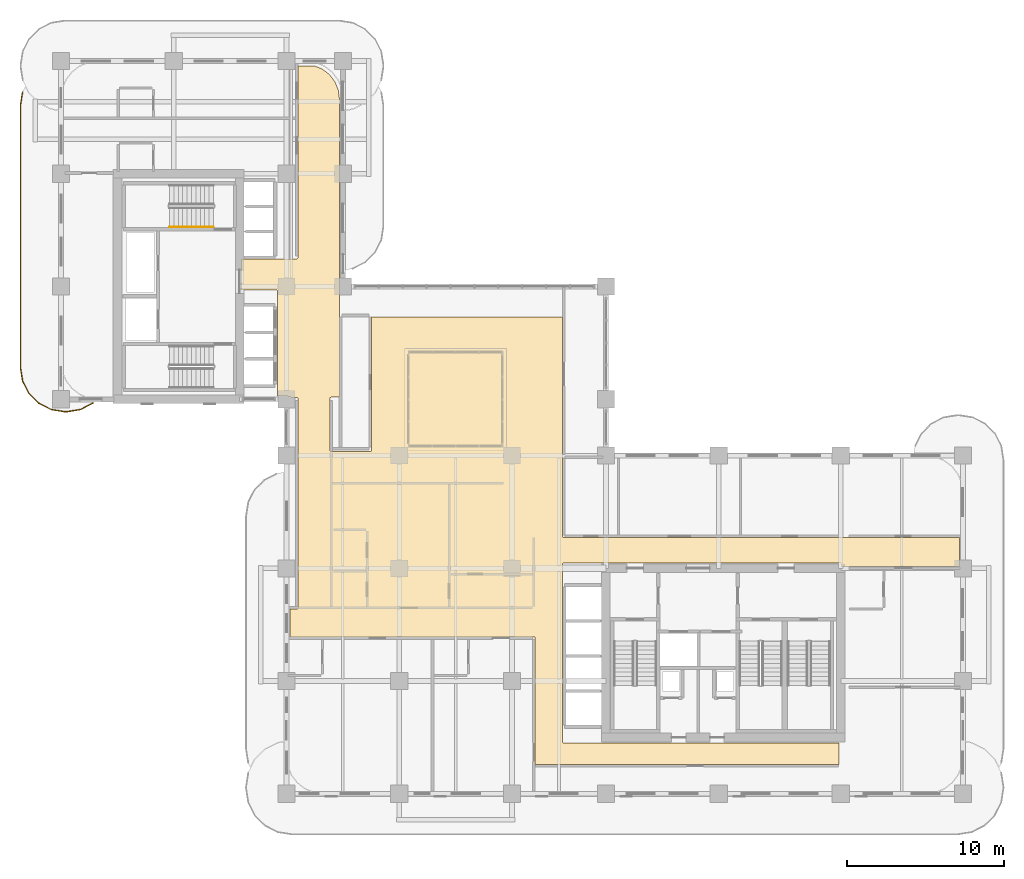
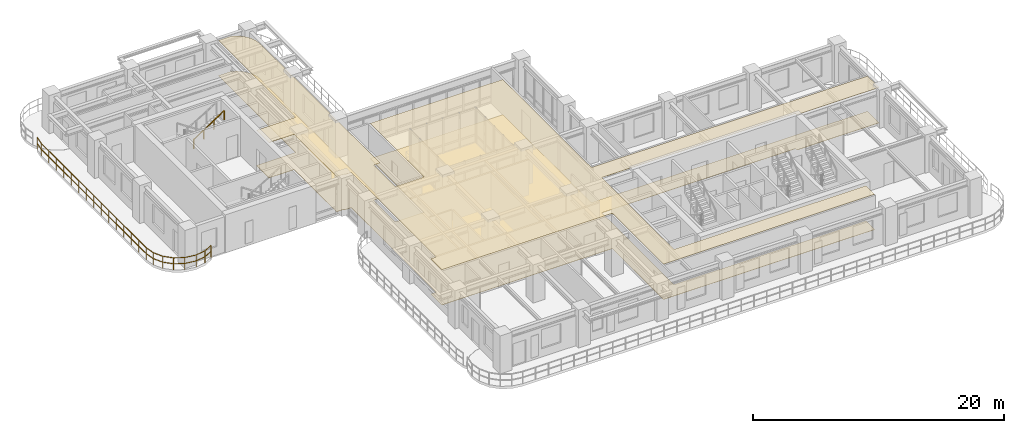
# One storey, part 21 of 22: 2 coverings, 2 railings.
"""IFC4 building model written with IfcOpenShell, lengths in metres."""

from ifc_helpers import new_model, si_unit, derived_unit, direction, frame, origin, origin_2d, place, context, subcontext, project, spatial, polyline, rectangle, outline, extrude, material, layer, layer_set, type_object, element, save


model = new_model("IFC4")

# Units and contexts
model_context = context("Model", 3, precision=1e-05, world=origin(), true_north=direction((0.0, 1.0)))
body_context = subcontext(model_context, "Body", "Model", "MODEL_VIEW")
ifc_project = project(units=[si_unit("LENGTHUNIT", "METRE"), si_unit("AREAUNIT", "SQUARE_METRE"), si_unit("VOLUMEUNIT", "CUBIC_METRE"), si_unit("PLANEANGLEUNIT", "RADIAN"), si_unit("MASSUNIT", "GRAM", prefix="KILO"), si_unit("THERMODYNAMICTEMPERATUREUNIT", "KELVIN"), si_unit("POWERUNIT", "WATT"), derived_unit("THERMALTRANSMITTANCEUNIT", [(si_unit("POWERUNIT", "WATT"), 1), (si_unit("AREAUNIT", "SQUARE_METRE"), -1), (si_unit("THERMODYNAMICTEMPERATUREUNIT", "KELVIN"), -1)])], contexts=[model_context])

# Site, building, storey
site_placement = place(None, origin())
site = spatial("IfcSite", under=ifc_project, at=site_placement, CompositionType="ELEMENT")
building_placement = place(site_placement, origin())
building = spatial("IfcBuilding", under=site, at=building_placement, Name="Zahravan Archway Hotel and Residences", CompositionType="ELEMENT")
storey_placement = place(building_placement, frame((0.0, 0.0, 91.60009765625)))
storey = spatial("IfcBuildingStorey", under=building, at=storey_placement, Name="L22", CompositionType="ELEMENT", Elevation=91.60009765625)

# Coverings
ifc_material_1 = material(Name="Perforated Acoustic Gypsum Ceiling")
ifc_layer_1 = layer(ifc_material_1, 0.02490234375, Name="Perforated Acoustic Gypsum Ceiling")
ifc_layer_set_1 = layer_set([ifc_layer_1], Name="Perforated Acoustic Gypsum Ceiling")
covering_type_1 = type_object("IfcCoveringType", Name="COV-CEIL-ACST", PredefinedType="CEILING", material=ifc_layer_set_1)
covering_1_placement = place(storey_placement, frame((0.0, 0.0, 3.4248046875)))
element("IfcCovering", 1, at=covering_1_placement, inside=storey, type_object=covering_type_1, Name="L22 Acoustic Corridor Ceiling", PredefinedType="CEILING", context=body_context, shape_type="SweptSolid", body=[
    extrude(outline(polyline([(32.021484375, 3.309326171875), (32.04345703125, 3.268310546875), (32.08447265625, 3.24658203125), (49.669921875, 3.2451171875), (49.669921875, 1.8798828125), (30.280029296875, 1.8798828125), (30.280029296875, 9.949951171875), (30.2666015625, 9.994384765625), (30.230712890625, 10.02392578125), (14.6201171875, 10.030029296875), (14.6201171875, 11.7900390625), (15.050048828125, 11.7900390625), (15.094482421875, 11.803466796875), (15.123779296875, 11.83935546875), (15.1298828125, 25.25), (15.116455078125, 25.29443359375), (15.08056640625, 25.323974609375), (14.5771484375, 25.330078125), (14.53955078125, 25.3701171875), (14.503662109375, 25.39404296875), (14.4638671875, 25.410400390625), (14.421630859375, 25.4189453125), (13.830078125, 25.419921875), (13.830078125, 32.10009765625), (13.81640625, 32.144287109375), (13.780517578125, 32.173828125), (11.530029296875, 32.179931640625), (11.530029296875, 34.169921875), (15.050048828125, 34.169921875), (15.094482421875, 34.18359375), (15.123779296875, 34.219482421875), (15.1298828125, 46.469970703125), (16.24560546875, 46.469970703125), (16.689208984375, 46.286376953125), (17.14013671875, 45.940185546875), (17.486328125, 45.489013671875), (17.703857421875, 44.9638671875), (17.77001953125, 44.46142578125), (17.77001953125, 25.330078125), (17.25, 25.330078125), (17.20556640625, 25.31640625), (17.176025390625, 25.280517578125), (17.169921875, 21.949951171875), (17.18359375, 21.905517578125), (17.219482421875, 21.876220703125), (19.75, 21.8701171875), (19.79443359375, 21.883544921875), (19.823974609375, 21.91943359375), (19.830078125, 30.469970703125), (32.02001953125, 30.469970703125), (32.02001953125, 16.449951171875), (32.033447265625, 16.405517578125), (32.0693359375, 16.376220703125), (57.3798828125, 16.3701171875), (57.3798828125, 14.530029296875), (49.830078125, 14.530029296875), (49.830078125, 14.675048828125), (49.81640625, 14.719482421875), (49.780517578125, 14.748779296875), (32.10009765625, 14.7548828125), (32.0556640625, 14.741455078125), (32.026123046875, 14.70556640625), (32.02001953125, 3.324951171875), (32.021484375, 3.309326171875)])), origin(), (0.0, 0.0, 1.0), 0.025146484375),
])
ifc_material_2 = material(Name="Honed Margalla Limestone & Mortar Bed", Category="masonry")
ifc_layer_2 = layer(ifc_material_2, 0.030029296875, Name="Honed Margalla Limestone & Mortar Bed", Category="masonry")
ifc_layer_set_2 = layer_set([ifc_layer_2], Name="Honed Margalla Limestone & Mortar Bed")
covering_type_2 = type_object("IfcCoveringType", Name="COV-FLR-STONE", PredefinedType="FLOORING", material=ifc_layer_set_2)
covering_2_placement = place(storey_placement, origin())
element("IfcCovering", 2, at=covering_2_placement, inside=storey, type_object=covering_type_2, Name="L22 Circulation Floor Finish", PredefinedType="FLOORING", context=body_context, shape_type="SweptSolid", body=[
    extrude(outline(polyline([(32.021484375, 3.309326171875), (32.04345703125, 3.268310546875), (32.08447265625, 3.24658203125), (49.669921875, 3.2451171875), (49.669921875, 1.8798828125), (30.280029296875, 1.8798828125), (30.280029296875, 9.949951171875), (30.2666015625, 9.994384765625), (30.230712890625, 10.02392578125), (14.6201171875, 10.030029296875), (14.6201171875, 11.7900390625), (15.050048828125, 11.7900390625), (15.094482421875, 11.803466796875), (15.123779296875, 11.83935546875), (15.1298828125, 25.25), (15.116455078125, 25.29443359375), (15.08056640625, 25.323974609375), (14.5771484375, 25.330078125), (14.53955078125, 25.3701171875), (14.503662109375, 25.39404296875), (14.4638671875, 25.410400390625), (14.421630859375, 25.4189453125), (13.830078125, 25.419921875), (13.830078125, 32.10009765625), (13.81640625, 32.144287109375), (13.780517578125, 32.173828125), (11.530029296875, 32.179931640625), (11.530029296875, 34.169921875), (15.050048828125, 34.169921875), (15.094482421875, 34.18359375), (15.123779296875, 34.219482421875), (15.1298828125, 46.469970703125), (16.24560546875, 46.469970703125), (16.689208984375, 46.286376953125), (17.14013671875, 45.940185546875), (17.486328125, 45.489013671875), (17.703857421875, 44.9638671875), (17.77001953125, 44.46142578125), (17.77001953125, 25.330078125), (17.25, 25.330078125), (17.20556640625, 25.31640625), (17.176025390625, 25.280517578125), (17.169921875, 21.949951171875), (17.18359375, 21.905517578125), (17.219482421875, 21.876220703125), (19.75, 21.8701171875), (19.79443359375, 21.883544921875), (19.823974609375, 21.91943359375), (19.830078125, 30.469970703125), (32.02001953125, 30.469970703125), (32.02001953125, 16.449951171875), (32.033447265625, 16.405517578125), (32.0693359375, 16.376220703125), (57.3798828125, 16.3701171875), (57.3798828125, 14.530029296875), (49.830078125, 14.530029296875), (49.830078125, 14.675048828125), (49.81640625, 14.719482421875), (49.780517578125, 14.748779296875), (32.10009765625, 14.7548828125), (32.0556640625, 14.741455078125), (32.026123046875, 14.70556640625), (32.02001953125, 3.324951171875), (32.021484375, 3.309326171875)])), origin(), (0.0, 0.0, 1.0), 0.02978515625),
])

# Railings
ifc_material_3 = material(Name="Bronze & Laminated Glass Balustrade", Category="glass")
railing_type_1 = type_object("IfcRailingType", Name="RL-BAL-1200", PredefinedType="BALUSTRADE", material=ifc_material_3)
railing_1_placement = place(storey_placement, frame((2.025146484375, 24.9443359375, 0.0)))
element("IfcRailing", 3, at=railing_1_placement, inside=storey, type_object=railing_type_1, Name="L22 Balustrade RL-SLB-BAL-L22-WB-1", PredefinedType="BALUSTRADE", context=body_context, shape_type="SweptSolid", body=[
    extrude(rectangle(XDim=0.048095703125, YDim=0.048095703125, at=origin_2d()), frame((0.0, 0.0, 1.17578125), z_axis=(-0.891006060389, -0.453991409995, 0.0), x_axis=(0.453991409995, -0.891006060389, 0.0)), (0.0, 0.0, 1.0), 0.8916015625),
    extrude(rectangle(XDim=0.048095703125, YDim=0.048095703125, at=origin_2d()), frame((0.0, 0.0, 0.60009765625), z_axis=(-0.891006060389, -0.453991409995, 0.0), x_axis=(0.453991409995, -0.891006060389, 0.0)), (0.0, 0.0, 1.0), 0.8916015625),
    extrude(rectangle(XDim=0.048095703125, YDim=0.048095703125, at=origin_2d()), frame((-0.79443359375, -0.40478515625, 1.17578125), z_axis=(-0.987658397726, -0.156623399917, 0.0), x_axis=(0.156623399917, -0.987658397726, 0.0)), (0.0, 0.0, 1.0), 0.8916015625),
    extrude(rectangle(XDim=0.048095703125, YDim=0.048095703125, at=origin_2d()), frame((-0.79443359375, -0.40478515625, 0.60009765625), z_axis=(-0.987658397726, -0.156623399917, 0.0), x_axis=(0.156623399917, -0.987658397726, 0.0)), (0.0, 0.0, 1.0), 0.8916015625),
    extrude(rectangle(XDim=0.048095703125, YDim=0.048095703125, at=origin_2d()), frame((-1.675048828125, -0.54443359375, 1.17578125), z_axis=(-1.0, 0.0, 0.0), x_axis=(0.0, -1.0, 0.0)), (0.0, 0.0, 1.0), 0.10009765625),
    extrude(rectangle(XDim=0.048095703125, YDim=0.048095703125, at=origin_2d()), frame((-1.675048828125, -0.54443359375, 0.60009765625), z_axis=(-1.0, 0.0, 0.0), x_axis=(0.0, -1.0, 0.0)), (0.0, 0.0, 1.0), 0.10009765625),
    extrude(rectangle(XDim=0.048095703125, YDim=0.048095703125, at=origin_2d()), frame((-1.775146484375, -0.54443359375, 1.17578125), z_axis=(-0.987658397726, 0.156623399917, 0.0), x_axis=(-0.156623399917, -0.987658397726, 0.0)), (0.0, 0.0, 1.0), 0.8916015625),
    extrude(rectangle(XDim=0.048095703125, YDim=0.048095703125, at=origin_2d()), frame((-1.775146484375, -0.54443359375, 0.60009765625), z_axis=(-0.987658397726, 0.156623399917, 0.0), x_axis=(-0.156623399917, -0.987658397726, 0.0)), (0.0, 0.0, 1.0), 0.8916015625),
    extrude(rectangle(XDim=0.048095703125, YDim=0.048095703125, at=origin_2d()), frame((-2.65576171875, -0.40478515625, 1.17578125), z_axis=(-0.891062476022, 0.45388067135, 0.0), x_axis=(-0.45388067135, -0.891062476022, 0.0)), (0.0, 0.0, 1.0), 0.891845703125),
    extrude(rectangle(XDim=0.048095703125, YDim=0.048095703125, at=origin_2d()), frame((-2.65576171875, -0.40478515625, 0.60009765625), z_axis=(-0.891062476022, 0.45388067135, 0.0), x_axis=(-0.45388067135, -0.891062476022, 0.0)), (0.0, 0.0, 1.0), 0.891845703125),
    extrude(rectangle(XDim=0.048095703125, YDim=0.048095703125, at=origin_2d()), frame((-3.450439453125, 0.0, 1.17578125), z_axis=(-0.707106781187, 0.707106781187, 0.0), x_axis=(-0.707106781187, -0.707106781187, 0.0)), (0.0, 0.0, 1.0), 0.891357421875),
    extrude(rectangle(XDim=0.048095703125, YDim=0.048095703125, at=origin_2d()), frame((-3.450439453125, 0.0, 0.60009765625), z_axis=(-0.707106781187, 0.707106781187, 0.0), x_axis=(-0.707106781187, -0.707106781187, 0.0)), (0.0, 0.0, 1.0), 0.891357421875),
    extrude(rectangle(XDim=0.048095703125, YDim=0.048095703125, at=origin_2d()), frame((-4.080810546875, 0.63037109375, 1.17578125), z_axis=(-0.45388067135, 0.891062476022, 0.0), x_axis=(-0.891062476022, -0.45388067135, 0.0)), (0.0, 0.0, 1.0), 0.891845703125),
    extrude(rectangle(XDim=0.048095703125, YDim=0.048095703125, at=origin_2d()), frame((-4.080810546875, 0.63037109375, 0.60009765625), z_axis=(-0.45388067135, 0.891062476022, 0.0), x_axis=(-0.891062476022, -0.45388067135, 0.0)), (0.0, 0.0, 1.0), 0.891845703125),
    extrude(rectangle(XDim=0.048095703125, YDim=0.048095703125, at=origin_2d()), frame((-4.485595703125, 1.425048828125, 1.17578125), z_axis=(-0.156623399917, 0.987658397726, 0.0), x_axis=(-0.987658397726, -0.156623399917, 0.0)), (0.0, 0.0, 1.0), 0.8916015625),
    extrude(rectangle(XDim=0.048095703125, YDim=0.048095703125, at=origin_2d()), frame((-4.485595703125, 1.425048828125, 0.60009765625), z_axis=(-0.156623399917, 0.987658397726, 0.0), x_axis=(-0.987658397726, -0.156623399917, 0.0)), (0.0, 0.0, 1.0), 0.8916015625),
    extrude(rectangle(XDim=0.048095703125, YDim=0.048095703125, at=origin_2d()), frame((-4.625244140625, 2.3056640625, 1.17578125), z_axis=(0.0, 1.0, 0.0), x_axis=(-1.0, 0.0, 0.0)), (0.0, 0.0, 1.0), 16.699951171875),
    extrude(rectangle(XDim=0.048095703125, YDim=0.048095703125, at=origin_2d()), frame((-4.625244140625, 2.3056640625, 0.60009765625), z_axis=(0.0, 1.0, 0.0), x_axis=(-1.0, 0.0, 0.0)), (0.0, 0.0, 1.0), 16.699951171875),
    extrude(rectangle(XDim=0.048095703125, YDim=0.048095703125, at=origin_2d()), frame((-4.625244140625, 19.005615234375, 1.17578125), z_axis=(0.156581054338, 0.98766511198, 0.0), x_axis=(-0.98766511198, 0.156581054338, 0.0)), (0.0, 0.0, 1.0), 0.891845703125),
    extrude(rectangle(XDim=0.048095703125, YDim=0.048095703125, at=origin_2d()), frame((-4.625244140625, 19.005615234375, 0.60009765625), z_axis=(0.156581054338, 0.98766511198, 0.0), x_axis=(-0.98766511198, 0.156581054338, 0.0)), (0.0, 0.0, 1.0), 0.891845703125),
    extrude(rectangle(XDim=0.0419921875, YDim=0.0419921875, at=origin_2d()), origin(), (0.0, 0.0, 1.0), 1.15185546875),
    extrude(rectangle(XDim=0.0419921875, YDim=0.0419921875, at=origin_2d()), frame((-0.79443359375, -0.40478515625, 0.0)), (0.0, 0.0, 1.0), 1.15185546875),
    extrude(rectangle(XDim=0.0419921875, YDim=0.0419921875, at=origin_2d()), frame((-1.675048828125, -0.54443359375, 0.0)), (0.0, 0.0, 1.0), 1.15185546875),
    extrude(rectangle(XDim=0.0419921875, YDim=0.0419921875, at=origin_2d()), frame((-2.65576171875, -0.40478515625, 0.0)), (0.0, 0.0, 1.0), 1.15185546875),
    extrude(rectangle(XDim=0.0419921875, YDim=0.0419921875, at=origin_2d()), frame((-3.450439453125, 0.0, 0.0)), (0.0, 0.0, 1.0), 1.15185546875),
    extrude(rectangle(XDim=0.0419921875, YDim=0.0419921875, at=origin_2d()), frame((-4.080810546875, 0.63037109375, 0.0)), (0.0, 0.0, 1.0), 1.15185546875),
    extrude(rectangle(XDim=0.0419921875, YDim=0.0419921875, at=origin_2d()), frame((-4.485595703125, 1.425048828125, 0.0)), (0.0, 0.0, 1.0), 1.15185546875),
    extrude(rectangle(XDim=0.0419921875, YDim=0.0419921875, at=origin_2d()), frame((-4.625244140625, 2.3056640625, 0.0)), (0.0, 0.0, 1.0), 1.15185546875),
    extrude(rectangle(XDim=0.0419921875, YDim=0.0419921875, at=origin_2d()), frame((-4.625244140625, 3.49853515625, 0.0)), (0.0, 0.0, 1.0), 1.15185546875),
    extrude(rectangle(XDim=0.0419921875, YDim=0.0419921875, at=origin_2d()), frame((-4.625244140625, 4.69140625, 0.0)), (0.0, 0.0, 1.0), 1.15185546875),
    extrude(rectangle(XDim=0.0419921875, YDim=0.0419921875, at=origin_2d()), frame((-4.625244140625, 5.88427734375, 0.0)), (0.0, 0.0, 1.0), 1.15185546875),
    extrude(rectangle(XDim=0.0419921875, YDim=0.0419921875, at=origin_2d()), frame((-4.625244140625, 7.0771484375, 0.0)), (0.0, 0.0, 1.0), 1.15185546875),
    extrude(rectangle(XDim=0.0419921875, YDim=0.0419921875, at=origin_2d()), frame((-4.625244140625, 8.27001953125, 0.0)), (0.0, 0.0, 1.0), 1.15185546875),
    extrude(rectangle(XDim=0.0419921875, YDim=0.0419921875, at=origin_2d()), frame((-4.625244140625, 9.462890625, 0.0)), (0.0, 0.0, 1.0), 1.15185546875),
    extrude(rectangle(XDim=0.0419921875, YDim=0.0419921875, at=origin_2d()), frame((-4.625244140625, 10.65576171875, 0.0)), (0.0, 0.0, 1.0), 1.15185546875),
    extrude(rectangle(XDim=0.0419921875, YDim=0.0419921875, at=origin_2d()), frame((-4.625244140625, 11.848388671875, 0.0)), (0.0, 0.0, 1.0), 1.15185546875),
    extrude(rectangle(XDim=0.0419921875, YDim=0.0419921875, at=origin_2d()), frame((-4.625244140625, 13.041259765625, 0.0)), (0.0, 0.0, 1.0), 1.15185546875),
    extrude(rectangle(XDim=0.0419921875, YDim=0.0419921875, at=origin_2d()), frame((-4.625244140625, 14.234130859375, 0.0)), (0.0, 0.0, 1.0), 1.15185546875),
    extrude(rectangle(XDim=0.0419921875, YDim=0.0419921875, at=origin_2d()), frame((-4.625244140625, 15.427001953125, 0.0)), (0.0, 0.0, 1.0), 1.15185546875),
    extrude(rectangle(XDim=0.0419921875, YDim=0.0419921875, at=origin_2d()), frame((-4.625244140625, 16.619873046875, 0.0)), (0.0, 0.0, 1.0), 1.15185546875),
    extrude(rectangle(XDim=0.0419921875, YDim=0.0419921875, at=origin_2d()), frame((-4.625244140625, 17.812744140625, 0.0)), (0.0, 0.0, 1.0), 1.15185546875),
    extrude(rectangle(XDim=0.0419921875, YDim=0.0419921875, at=origin_2d()), frame((-4.625244140625, 19.005615234375, 0.0)), (0.0, 0.0, 1.0), 1.15185546875),
    extrude(rectangle(XDim=0.0419921875, YDim=0.0419921875, at=origin_2d()), frame((-4.485595703125, 19.886474609375, 0.0)), (0.0, 0.0, 1.0), 1.15185546875),
])
ifc_material_4 = material(Name="Brushed Stainless Steel", Category="steel")
railing_type_2 = type_object("IfcRailingType", Name="RL-STH-900", PredefinedType="HANDRAIL", material=ifc_material_4)
railing_2_placement = place(storey_placement, frame((6.929931640625, 36.2099609375, 2.01806640625)))
element("IfcRailing", 4, at=railing_2_placement, inside=storey, type_object=railing_type_2, Name="L22 ST-B2 stair handrail 2", PredefinedType="HANDRAIL", context=body_context, shape_type="SweptSolid", body=[
    extrude(rectangle(XDim=0.048095703125, YDim=0.048095703125, at=origin_2d()), frame((0.0, 0.0, 0.8759765625), z_axis=(0.834326358476, 0.0, 0.551270829586), x_axis=(0.0, 1.0, 0.0)), (0.0, 0.0, 1.0), 3.35595703125),
    extrude(rectangle(XDim=0.0419921875, YDim=0.0419921875, at=origin_2d()), origin(), (0.0, 0.0, 1.0), 0.851806640625),
    extrude(rectangle(XDim=0.0419921875, YDim=0.0419921875, at=origin_2d()), frame((0.933349609375, 0.0, 0.61669921875)), (0.0, 0.0, 1.0), 0.851806640625),
    extrude(rectangle(XDim=0.0419921875, YDim=0.0419921875, at=origin_2d()), frame((1.86669921875, 0.0, 1.2333984375)), (0.0, 0.0, 1.0), 0.851806640625),
    extrude(rectangle(XDim=0.0419921875, YDim=0.0419921875, at=origin_2d()), frame((2.800048828125, 0.0, 1.85009765625)), (0.0, 0.0, 1.0), 0.851806640625),
])

save(model, "model.ifc")
